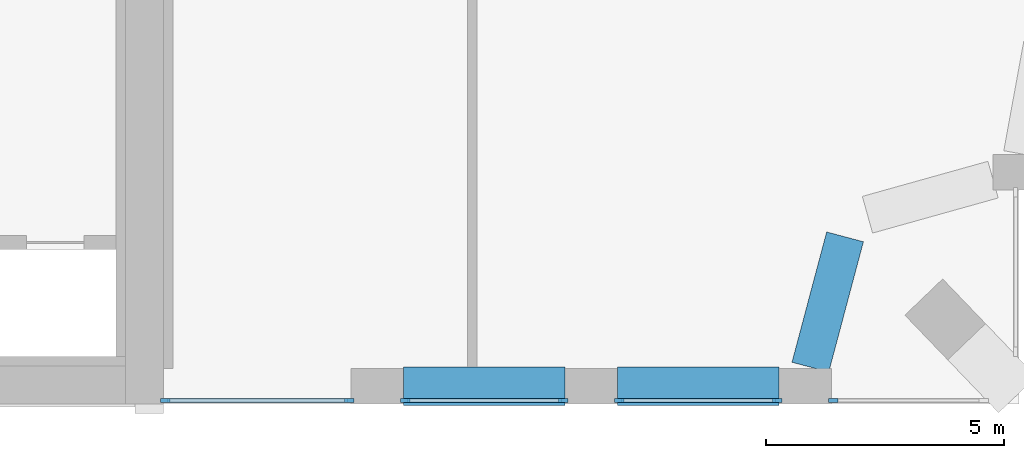
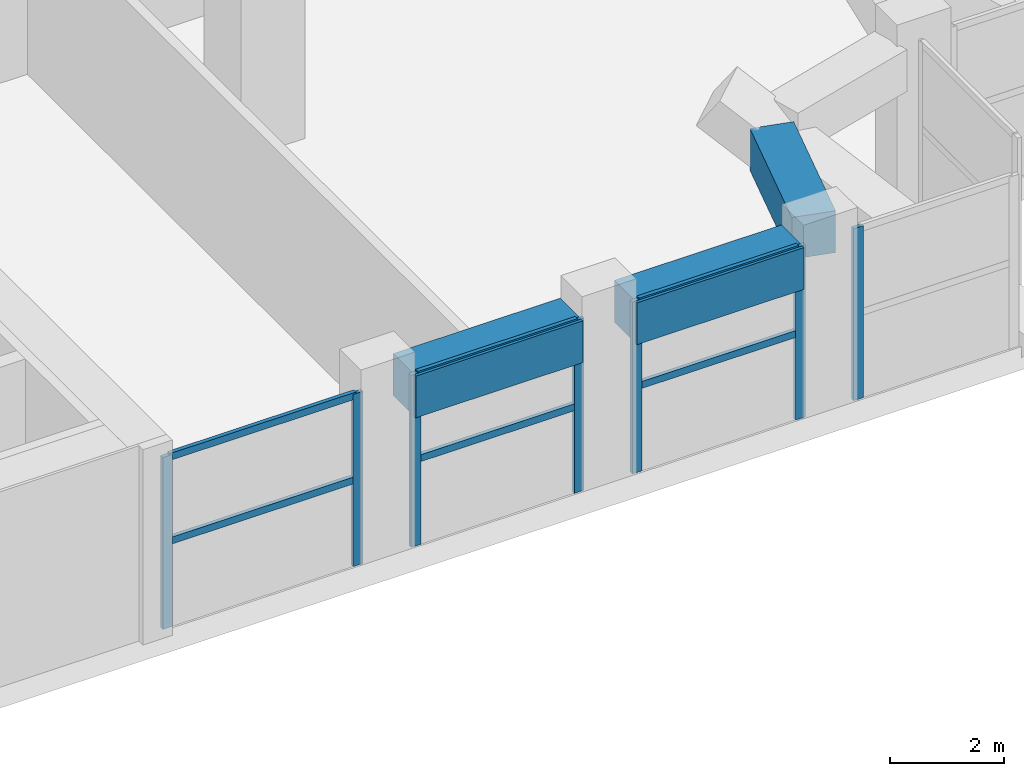
# One storey, part 5 of 20: 13 members, 3 beams, 4 elements without a shape of their own.
"""IFC4 building model written with IfcOpenShell, lengths in metres."""

import ifcopenshell
import ifcopenshell.guid

model = None  # the IFC model being written
_history = None  # IfcOwnerHistory: only IFC2X3 demands one
_inside = {}  # id of a spatial element -> (the spatial element, [elements in it])
_under = {}  # id of a project, library or spatial element -> (it, [spatial elements below it])
_declared = {}  # id of a project -> (the project, [libraries it declares])
_typed = {}  # id of a type object -> (the type object, [elements of that type])
_made_of = {}  # id of a material, layer set ... -> (it, [elements and type objects made of it])


def new_model(schema):
    """Start an empty IFC model of exactly this schema.

    Asked for "IFC4X3", IfcOpenShell would pick the latest addendum, in which some entities
    have other attributes; the version numbers below select the first issue.
    IFC2X3 requires an IfcOwnerHistory on every rooted entity: one is made here for all.
    """
    global model, _history
    if schema == "IFC4X3":
        model = ifcopenshell.file(schema_version=(4, 3, 0, 0))
    else:
        model = ifcopenshell.file(schema=schema)
    _inside.clear()
    _under.clear()
    _declared.clear()
    _typed.clear()
    _made_of.clear()
    _history = None
    if model.schema == "IFC2X3":
        org = make("IfcOrganization", Name="unknown")
        user = make(
            "IfcPersonAndOrganization",
            ThePerson=make("IfcPerson", FamilyName="unknown"),
            TheOrganization=org,
        )
        app = make(
            "IfcApplication",
            ApplicationDeveloper=org,
            Version="unknown",
            ApplicationFullName="unknown",
            ApplicationIdentifier="unknown",
        )
        _history = make(
            "IfcOwnerHistory",
            OwningUser=user,
            OwningApplication=app,
            ChangeAction="ADDED",
            CreationDate=0,
        )
    return model


def make(cls, **values):
    """One entity of the class cls with the attributes given. An attribute that is None is left unset."""
    return model.create_entity(
        cls, **{name: value for name, value in values.items() if value is not None}
    )


def rooted(cls, **values):
    """An entity with a GlobalId (a new one), such as an element, a storey or a relation."""
    return make(cls, GlobalId=ifcopenshell.guid.new(), OwnerHistory=_history, **values)


def si_unit(unit_type, name, prefix=None):
    """IfcSIUnit, for example si_unit("LENGTHUNIT", "METRE", prefix="MILLI")."""
    return make("IfcSIUnit", UnitType=unit_type, Prefix=prefix, Name=name)


def assignment(units):
    """IfcUnitAssignment: the units of a project."""
    return None if units is None else make("IfcUnitAssignment", Units=units)


def point(xyz):
    """IfcCartesianPoint."""
    return None if xyz is None else make("IfcCartesianPoint", Coordinates=xyz)


def direction(xyz):
    """IfcDirection."""
    return None if xyz is None else make("IfcDirection", DirectionRatios=xyz)


def frame(location, z_axis=None, x_axis=None):
    """IfcAxis2Placement3D, a coordinate frame: its origin and axes. An axis left out is left unset."""
    return make(
        "IfcAxis2Placement3D",
        Location=point(location),
        Axis=direction(z_axis),
        RefDirection=direction(x_axis),
    )


def frame_2d(location, x_axis=None):
    """IfcAxis2Placement2D, a coordinate frame in the plane: its origin and x axis."""
    return make(
        "IfcAxis2Placement2D", Location=point(location), RefDirection=direction(x_axis)
    )


def origin():
    """The frame at (0, 0, 0) with its axes left unset."""
    return frame((0.0, 0.0, 0.0))


def origin_2d():
    """The frame at (0, 0) in the plane with its x axis left unset."""
    return frame_2d((0.0, 0.0))


def place(relative_to, where):
    """IfcLocalPlacement: puts the frame where relative to a parent placement (None: the world)."""
    return make(
        "IfcLocalPlacement", PlacementRelTo=relative_to, RelativePlacement=where
    )


def context(
    kind, dimensions, precision=None, world=None, true_north=None, identifier=None
):
    """IfcGeometricRepresentationContext, for example the 3D "Model" context."""
    return make(
        "IfcGeometricRepresentationContext",
        ContextIdentifier=identifier,
        ContextType=kind,
        CoordinateSpaceDimension=dimensions,
        Precision=precision,
        WorldCoordinateSystem=world,
        TrueNorth=true_north,
    )


def subcontext(parent, identifier, kind, view, scale=None):
    """IfcGeometricRepresentationSubContext, for example "Body" below "Model"."""
    return make(
        "IfcGeometricRepresentationSubContext",
        ContextIdentifier=identifier,
        ContextType=kind,
        ParentContext=parent,
        TargetScale=scale,
        TargetView=view,
    )


def project(units=None, contexts=None):
    """IfcProject with its units and contexts."""
    return rooted(
        "IfcProject",
        Name="project",
        RepresentationContexts=contexts,
        UnitsInContext=assignment(units),
    )


def spatial(cls, under=None, at=None, **own):
    """A site, building, storey or space (cls), placed at a placement, below another one or the project."""
    s = rooted(cls, ObjectPlacement=at, **own)
    if under is not None:
        _under.setdefault(under.id(), (under, []))[1].append(s)
    return s


def profile(cls, at=None, kind="AREA", **sizes):
    """A parametric profile (cls). Its sizes go by their IFC names, for example OverallWidth=200.0."""
    return make(cls, ProfileType=kind, Position=at, **sizes)


def rectangle(**sizes):
    """IfcRectangleProfileDef."""
    return profile("IfcRectangleProfileDef", **sizes)


def extrude(swept, where, along, depth):
    """IfcExtrudedAreaSolid: the profile swept, set in the frame where, extruded along a direction by depth."""
    return make(
        "IfcExtrudedAreaSolid",
        SweptArea=swept,
        Position=where,
        ExtrudedDirection=direction(along),
        Depth=depth,
    )


def shape(context_of_items, identifier, shape_type, items):
    """IfcShapeRepresentation: the items that make up one representation, for example the "Body"."""
    return make(
        "IfcShapeRepresentation",
        ContextOfItems=context_of_items,
        RepresentationIdentifier=identifier,
        RepresentationType=shape_type,
        Items=items,
    )


def material(Name=None, Category=None):
    """IfcMaterial."""
    return make("IfcMaterial", Name=Name, Category=Category)


def layer(
    of_material, thickness, ventilated=None, Name=None, Category=None, Priority=None
):
    """IfcMaterialLayer: one layer of a wall or slab, of a material (None: an air gap)."""
    return make(
        "IfcMaterialLayer",
        Material=of_material,
        LayerThickness=thickness,
        IsVentilated=ventilated,
        Name=Name,
        Category=Category,
        Priority=Priority,
    )


def layer_set(layers, Name=None):
    """IfcMaterialLayerSet."""
    return make("IfcMaterialLayerSet", MaterialLayers=layers, LayerSetName=Name)


def material_profile(
    of_material, cross_section, Name=None, Category=None, Priority=None
):
    """IfcMaterialProfile: a cross section and its material."""
    return make(
        "IfcMaterialProfile",
        Name=Name,
        Material=of_material,
        Profile=cross_section,
        Priority=Priority,
        Category=Category,
    )


def profile_set(profiles, Name=None, composite=None):
    """IfcMaterialProfileSet."""
    return make(
        "IfcMaterialProfileSet",
        Name=Name,
        MaterialProfiles=profiles,
        CompositeProfile=composite,
    )


def made_of(thing, what):
    """Note that an element or type object is made of a material, layer set ...; save() writes the relation."""
    if what is not None:
        _made_of.setdefault(what.id(), (what, []))[1].append(thing)
    return thing


def type_object(cls, material=None, **own):
    """A type object (cls), such as IfcWallType, which elements share."""
    return made_of(rooted(cls, **own), material)


def element(
    cls,
    number,
    at=None,
    inside=None,
    cuts=None,
    type_object=None,
    material=None,
    context=None,
    identifier="Body",
    shape_type=None,
    held_by="IfcProductDefinitionShape",
    body=None,
    shapes=None,
    **own,
):
    """One element of the class cls, such as IfcWall. Its Tag is "e" and its number.

    at: its placement. inside: the storey or other place that contains it. cuts: it is an
    opening in that element (IfcRelVoidsElement). A single representation is given by context,
    identifier, shape_type and body (its items); several are given by shapes. held_by: the class
    of the entity that holds the representations. save() writes the other relations.
    """
    e = rooted(cls, Tag="e%d" % number, ObjectPlacement=at, **own)
    if body is not None:
        shapes = [shape(context, identifier, shape_type, body)]
    if shapes is not None:
        e.Representation = make(held_by, Representations=shapes)
    if inside is not None:
        _inside.setdefault(inside.id(), (inside, []))[1].append(e)
    if cuts is not None:
        rooted(
            "IfcRelVoidsElement", RelatingBuildingElement=cuts, RelatedOpeningElement=e
        )
    if type_object is not None:
        _typed.setdefault(type_object.id(), (type_object, []))[1].append(e)
    return made_of(e, material)


def aggregate(whole, parts):
    """IfcRelAggregates: a whole, such as a stair, and the parts it consists of."""
    return rooted("IfcRelAggregates", RelatingObject=whole, RelatedObjects=parts)


def save(model, path):
    """Write the relations noted so far, then the file.

    IfcRelAggregates (storeys below a building ...), IfcRelContainedInSpatialStructure (elements
    in a storey), IfcRelDefinesByType, IfcRelAssociatesMaterial and IfcRelDeclares: one each for
    every whole, place, type object, material and project.
    """
    for whole, parts in _under.values():
        aggregate(whole, parts)
    for where, things in _inside.values():
        rooted(
            "IfcRelContainedInSpatialStructure",
            RelatedElements=things,
            RelatingStructure=where,
        )
    for kind, things in _typed.values():
        rooted("IfcRelDefinesByType", RelatedObjects=things, RelatingType=kind)
    for what, things in _made_of.values():
        rooted("IfcRelAssociatesMaterial", RelatedObjects=things, RelatingMaterial=what)
    for by, libraries in _declared.values():
        rooted("IfcRelDeclares", RelatingContext=by, RelatedDefinitions=libraries)
    model.write(path)


model = new_model("IFC4")

# Units and contexts
model_context = context("Model", 3, precision=1e-05, world=origin(), true_north=direction((0.0, 1.0)))
body_context = subcontext(model_context, "Body", "Model", "MODEL_VIEW")
ifc_project = project(units=[si_unit("LENGTHUNIT", "METRE"), si_unit("AREAUNIT", "SQUARE_METRE"), si_unit("VOLUMEUNIT", "CUBIC_METRE"), si_unit("PLANEANGLEUNIT", "RADIAN"), si_unit("MASSUNIT", "GRAM", prefix="KILO")], contexts=[model_context])

# Site, building, storey
site_placement = place(None, origin())
site = spatial("IfcSite", under=ifc_project, at=site_placement, CompositionType="ELEMENT")
building_placement = place(site_placement, origin())
building = spatial("IfcBuilding", under=site, at=building_placement, Name="Brigalow Station Residences", CompositionType="ELEMENT")
storey_placement = place(building_placement, frame((0.0, 0.0, 137.10009765625)))
storey = spatial("IfcBuildingStorey", under=building, at=storey_placement, Name="L39", CompositionType="ELEMENT", Elevation=137.10009765625)

# Beams
ifc_material_1 = material(Name="Concrete C65", Category="concrete")
ifc_material_profile_1 = material_profile(ifc_material_1, rectangle(XDim=0.800048828125, YDim=0.89990234375, at=origin_2d()), Name="RC800x900")
ifc_profile_set_1 = profile_set([ifc_material_profile_1], Name="Concrete C65")
beam_type = type_object("IfcBeamType", Name="KINK TIE BEAM 800x900 C65", PredefinedType="BEAM", material=ifc_profile_set_1)
for number, where, z_axis, x_axis, name in (
    (1, (59.050048828125, 0.375, 3.25), (1.0, 0.0, 0.0), (0.0, 1.0, 0.0), "KINK TIE BEAM 2 L39"),
    (2, (63.550048828125, 0.375, 3.25), (1.0, 0.0, 0.0), (0.0, 1.0, 0.0), "KINK TIE BEAM 3 L39"),
):
    element("IfcBeam", number, at=place(storey_placement, frame(where, z_axis=z_axis, x_axis=x_axis)), inside=storey, type_object=beam_type, Name=name, PredefinedType="BEAM", context=body_context, shape_type="SweptSolid", body=[
        extrude(rectangle(XDim=0.800048828125, YDim=0.89990234375, at=origin_2d()), origin(), (0.0, 0.0, 1.0), 3.39990234375),
    ])
beam_placement = place(storey_placement, frame((67.607177734375, 0.777099609375, 3.25), z_axis=(0.257373331085, 0.966312045069, 0.0), x_axis=(-0.966312045069, 0.257373331085, 0.0)))
element("IfcBeam", 3, at=beam_placement, inside=storey, type_object=beam_type, Name="KINK TIE BEAM 4 L39", PredefinedType="BEAM", context=body_context, shape_type="SweptSolid", body=[
    extrude(rectangle(XDim=0.800048828125, YDim=0.89990234375, at=origin_2d()), origin(), (0.0, 0.0, 1.0), 2.836181640625),
])

# Curtain wall, members
ifc_material_2 = material(Name="Aluminium", Category="aluminium")
ifc_layer = layer(ifc_material_2, 0.199951171875)
ifc_layer_set = layer_set([ifc_layer], Name="REFUGE FLOOR LOUVRE CURTAIN WALL")
curtain_wall_type = type_object("IfcCurtainWallType", Name="REFUGE FLOOR LOUVRE CURTAIN WALL", PredefinedType="NOTDEFINED", material=ifc_layer_set)
curtain_wall_1_placement = place(storey_placement, origin())
curtain_wall_1 = element("IfcCurtainWall", 4, at=curtain_wall_1_placement, inside=storey, type_object=curtain_wall_type, Name="L39/cw/louvre-W-L39-4-3", PredefinedType="NOTDEFINED")
ifc_material_3 = material(Name="Aluminium", Category="aluminium")
ifc_material_profile_2 = material_profile(ifc_material_3, rectangle(XDim=0.080078125, YDim=0.199951171875, at=origin_2d()), Name="REFUGE FLOOR LOUVRE MULLION 80x200")
ifc_profile_set_2 = profile_set([ifc_material_profile_2], Name="Aluminium")
member_type_1 = type_object("IfcMemberType", Name="REFUGE FLOOR LOUVRE MULLION 80x200", PredefinedType="MULLION", material=ifc_profile_set_2)
member_1_placement = place(storey_placement, frame((54.0400390625, 0.074951171875, 0.0), z_axis=(0.0, 0.0, 1.0), x_axis=(0.0, 1.0, 0.0)))
member_1 = element("IfcMember", 5, at=member_1_placement, type_object=member_type_1, Name="L39/cw/louvre-W-L39-4-3/M00", PredefinedType="MULLION", context=body_context, shape_type="SweptSolid", body=[
    extrude(rectangle(XDim=0.080078125, YDim=0.199951171875, at=origin_2d()), origin(), (0.0, 0.0, 1.0), 3.699951171875),
])
member_2_placement = place(storey_placement, frame((57.909912109375, 0.074951171875, 0.0), z_axis=(0.0, 0.0, 1.0), x_axis=(0.0, 1.0, 0.0)))
member_2 = element("IfcMember", 6, at=member_2_placement, type_object=member_type_1, Name="L39/cw/louvre-W-L39-4-3/M01", PredefinedType="MULLION", context=body_context, shape_type="SweptSolid", body=[
    extrude(rectangle(XDim=0.080078125, YDim=0.199951171875, at=origin_2d()), origin(), (0.0, 0.0, 1.0), 3.699951171875),
])

curtain_wall_2_placement = place(storey_placement, origin())
curtain_wall_2 = element("IfcCurtainWall", 7, at=curtain_wall_2_placement, inside=storey, type_object=curtain_wall_type, Name="L39/cw/louvre-W-L39-4-4", PredefinedType="NOTDEFINED")
member_3_placement = place(storey_placement, frame((59.090087890625, 0.074951171875, 0.0), z_axis=(0.0, 0.0, 1.0), x_axis=(0.0, 1.0, 0.0)))
member_3 = element("IfcMember", 8, at=member_3_placement, type_object=member_type_1, Name="L39/cw/louvre-W-L39-4-4/M00", PredefinedType="MULLION", context=body_context, shape_type="SweptSolid", body=[
    extrude(rectangle(XDim=0.080078125, YDim=0.199951171875, at=origin_2d()), origin(), (0.0, 0.0, 1.0), 3.699951171875),
])
member_4_placement = place(storey_placement, frame((62.409912109375, 0.074951171875, 0.0), z_axis=(0.0, 0.0, 1.0), x_axis=(0.0, 1.0, 0.0)))
member_4 = element("IfcMember", 9, at=member_4_placement, type_object=member_type_1, Name="L39/cw/louvre-W-L39-4-4/M01", PredefinedType="MULLION", context=body_context, shape_type="SweptSolid", body=[
    extrude(rectangle(XDim=0.080078125, YDim=0.199951171875, at=origin_2d()), origin(), (0.0, 0.0, 1.0), 3.699951171875),
])

curtain_wall_3_placement = place(storey_placement, origin())
curtain_wall_3 = element("IfcCurtainWall", 10, at=curtain_wall_3_placement, inside=storey, type_object=curtain_wall_type, Name="L39/cw/louvre-W-L39-4-5", PredefinedType="NOTDEFINED")
member_5_placement = place(storey_placement, frame((63.590087890625, 0.074951171875, 0.0), z_axis=(0.0, 0.0, 1.0), x_axis=(0.0, 1.0, 0.0)))
member_5 = element("IfcMember", 11, at=member_5_placement, type_object=member_type_1, Name="L39/cw/louvre-W-L39-4-5/M00", PredefinedType="MULLION", context=body_context, shape_type="SweptSolid", body=[
    extrude(rectangle(XDim=0.080078125, YDim=0.199951171875, at=origin_2d()), origin(), (0.0, 0.0, 1.0), 3.699951171875),
])
member_6_placement = place(storey_placement, frame((66.909912109375, 0.074951171875, 0.0), z_axis=(0.0, 0.0, 1.0), x_axis=(0.0, 1.0, 0.0)))
member_6 = element("IfcMember", 12, at=member_6_placement, type_object=member_type_1, Name="L39/cw/louvre-W-L39-4-5/M01", PredefinedType="MULLION", context=body_context, shape_type="SweptSolid", body=[
    extrude(rectangle(XDim=0.080078125, YDim=0.199951171875, at=origin_2d()), origin(), (0.0, 0.0, 1.0), 3.699951171875),
])

# Curtain wall, member
curtain_wall_4_placement = place(storey_placement, origin())
curtain_wall_4 = element("IfcCurtainWall", 13, at=curtain_wall_4_placement, inside=storey, type_object=curtain_wall_type, Name="L39/cw/louvre-W-L39-4-6", PredefinedType="NOTDEFINED")
member_7_placement = place(storey_placement, frame((68.090087890625, 0.074951171875, 0.0), z_axis=(0.0, 0.0, 1.0), x_axis=(0.0, 1.0, 0.0)))
member_7 = element("IfcMember", 14, at=member_7_placement, type_object=member_type_1, Name="L39/cw/louvre-W-L39-4-6/M00", PredefinedType="MULLION", context=body_context, shape_type="SweptSolid", body=[
    extrude(rectangle(XDim=0.080078125, YDim=0.199951171875, at=origin_2d()), origin(), (0.0, 0.0, 1.0), 3.699951171875),
])
aggregate(curtain_wall_4, [member_7])

# Member
ifc_material_4 = material(Name="Aluminium", Category="aluminium")
ifc_material_profile_3 = material_profile(ifc_material_4, rectangle(XDim=0.080078125, YDim=0.14990234375, at=origin_2d()), Name="REFUGE FLOOR LOUVRE TRANSOM 80x150")
ifc_profile_set_3 = profile_set([ifc_material_profile_3], Name="Aluminium")
member_type_2 = type_object("IfcMemberType", Name="REFUGE FLOOR LOUVRE TRANSOM 80x150", PredefinedType="USERDEFINED", material=ifc_profile_set_3)
member_8_placement = place(storey_placement, frame((54.080078125, 0.074951171875, 1.849853515625), z_axis=(1.0, 0.0, 0.0), x_axis=(0.0, 1.0, 0.0)))
member_8 = element("IfcMember", 15, at=member_8_placement, type_object=member_type_2, Name="L39/cw/louvre-W-L39-4-3/T00-00", ObjectType="TRANSOM", PredefinedType="USERDEFINED", context=body_context, shape_type="SweptSolid", body=[
    extrude(rectangle(XDim=0.080078125, YDim=0.14990234375, at=origin_2d()), origin(), (0.0, 0.0, 1.0), 3.7900390625),
])

member_9_placement = place(storey_placement, frame((54.080078125, 0.074951171875, 3.659912109375), z_axis=(1.0, 0.0, 0.0), x_axis=(0.0, 1.0, 0.0)))
member_9 = element("IfcMember", 16, at=member_9_placement, type_object=member_type_2, Name="L39/cw/louvre-W-L39-4-3/T00-01", ObjectType="TRANSOM", PredefinedType="USERDEFINED", context=body_context, shape_type="SweptSolid", body=[
    extrude(rectangle(XDim=0.080078125, YDim=0.14990234375, at=origin_2d()), origin(), (0.0, 0.0, 1.0), 3.7900390625),
])

aggregate(curtain_wall_1, [member_1, member_2, member_8, member_9])

member_10_placement = place(storey_placement, frame((59.1298828125, 0.074951171875, 1.849853515625), z_axis=(1.0, 0.0, 0.0), x_axis=(0.0, 1.0, 0.0)))
member_10 = element("IfcMember", 17, at=member_10_placement, type_object=member_type_2, Name="L39/cw/louvre-W-L39-4-4/T00-00", ObjectType="TRANSOM", PredefinedType="USERDEFINED", context=body_context, shape_type="SweptSolid", body=[
    extrude(rectangle(XDim=0.080078125, YDim=0.14990234375, at=origin_2d()), origin(), (0.0, 0.0, 1.0), 3.240234375),
])

member_11_placement = place(storey_placement, frame((59.1298828125, 0.074951171875, 3.659912109375), z_axis=(1.0, 0.0, 0.0), x_axis=(0.0, 1.0, 0.0)))
member_11 = element("IfcMember", 18, at=member_11_placement, type_object=member_type_2, Name="L39/cw/louvre-W-L39-4-4/T00-01", ObjectType="TRANSOM", PredefinedType="USERDEFINED", context=body_context, shape_type="SweptSolid", body=[
    extrude(rectangle(XDim=0.080078125, YDim=0.14990234375, at=origin_2d()), origin(), (0.0, 0.0, 1.0), 3.240234375),
])

aggregate(curtain_wall_2, [member_3, member_4, member_10, member_11])

member_12_placement = place(storey_placement, frame((63.6298828125, 0.074951171875, 1.849853515625), z_axis=(1.0, 0.0, 0.0), x_axis=(0.0, 1.0, 0.0)))
member_12 = element("IfcMember", 19, at=member_12_placement, type_object=member_type_2, Name="L39/cw/louvre-W-L39-4-5/T00-00", ObjectType="TRANSOM", PredefinedType="USERDEFINED", context=body_context, shape_type="SweptSolid", body=[
    extrude(rectangle(XDim=0.080078125, YDim=0.14990234375, at=origin_2d()), origin(), (0.0, 0.0, 1.0), 3.240234375),
])

member_13_placement = place(storey_placement, frame((63.6298828125, 0.074951171875, 3.659912109375), z_axis=(1.0, 0.0, 0.0), x_axis=(0.0, 1.0, 0.0)))
member_13 = element("IfcMember", 20, at=member_13_placement, type_object=member_type_2, Name="L39/cw/louvre-W-L39-4-5/T00-01", ObjectType="TRANSOM", PredefinedType="USERDEFINED", context=body_context, shape_type="SweptSolid", body=[
    extrude(rectangle(XDim=0.080078125, YDim=0.14990234375, at=origin_2d()), origin(), (0.0, 0.0, 1.0), 3.240234375),
])

aggregate(curtain_wall_3, [member_5, member_6, member_12, member_13])

save(model, "model.ifc")
